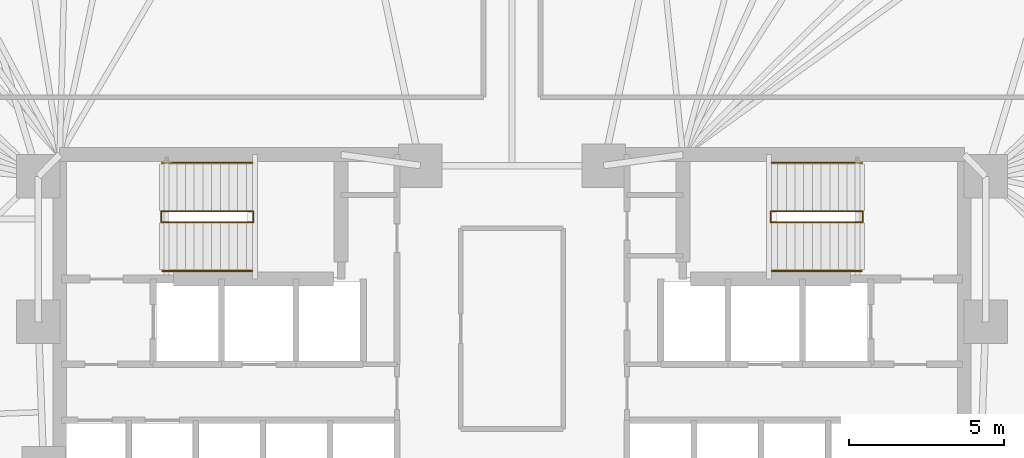
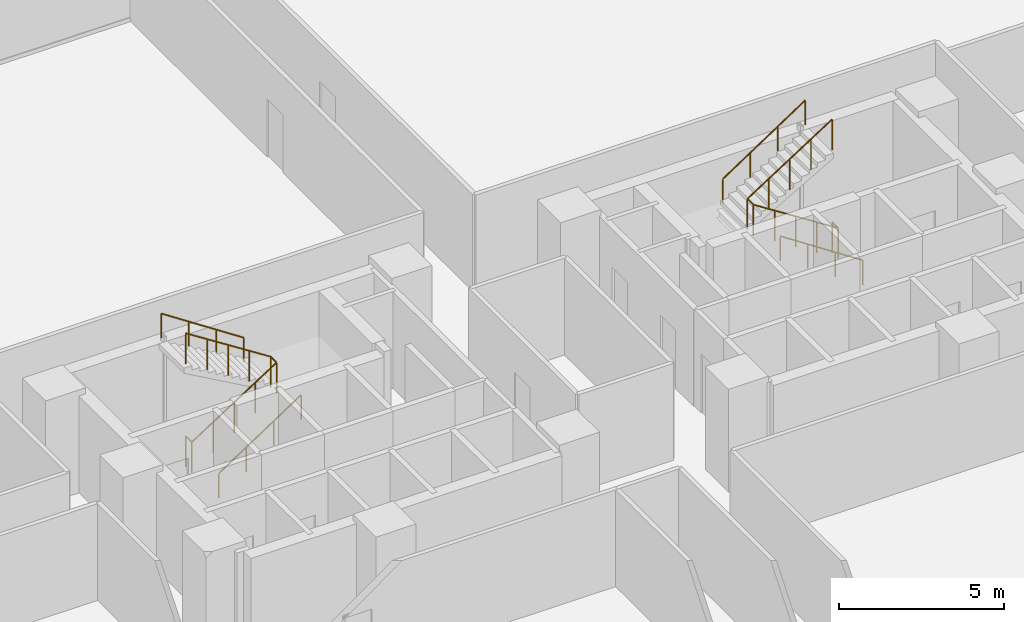
# One storey, part 16 of 16: 6 railings.
"""IFC4 building model written with IfcOpenShell, lengths in metres."""

import ifcopenshell
import ifcopenshell.guid

model = None  # the IFC model being written
_history = None  # IfcOwnerHistory: only IFC2X3 demands one
_inside = {}  # id of a spatial element -> (the spatial element, [elements in it])
_under = {}  # id of a project, library or spatial element -> (it, [spatial elements below it])
_declared = {}  # id of a project -> (the project, [libraries it declares])
_typed = {}  # id of a type object -> (the type object, [elements of that type])
_made_of = {}  # id of a material, layer set ... -> (it, [elements and type objects made of it])


def new_model(schema):
    """Start an empty IFC model of exactly this schema.

    Asked for "IFC4X3", IfcOpenShell would pick the latest addendum, in which some entities
    have other attributes; the version numbers below select the first issue.
    IFC2X3 requires an IfcOwnerHistory on every rooted entity: one is made here for all.
    """
    global model, _history
    if schema == "IFC4X3":
        model = ifcopenshell.file(schema_version=(4, 3, 0, 0))
    else:
        model = ifcopenshell.file(schema=schema)
    _inside.clear()
    _under.clear()
    _declared.clear()
    _typed.clear()
    _made_of.clear()
    _history = None
    if model.schema == "IFC2X3":
        org = make("IfcOrganization", Name="unknown")
        user = make(
            "IfcPersonAndOrganization",
            ThePerson=make("IfcPerson", FamilyName="unknown"),
            TheOrganization=org,
        )
        app = make(
            "IfcApplication",
            ApplicationDeveloper=org,
            Version="unknown",
            ApplicationFullName="unknown",
            ApplicationIdentifier="unknown",
        )
        _history = make(
            "IfcOwnerHistory",
            OwningUser=user,
            OwningApplication=app,
            ChangeAction="ADDED",
            CreationDate=0,
        )
    return model


def make(cls, **values):
    """One entity of the class cls with the attributes given. An attribute that is None is left unset."""
    return model.create_entity(
        cls, **{name: value for name, value in values.items() if value is not None}
    )


def rooted(cls, **values):
    """An entity with a GlobalId (a new one), such as an element, a storey or a relation."""
    return make(cls, GlobalId=ifcopenshell.guid.new(), OwnerHistory=_history, **values)


def si_unit(unit_type, name, prefix=None):
    """IfcSIUnit, for example si_unit("LENGTHUNIT", "METRE", prefix="MILLI")."""
    return make("IfcSIUnit", UnitType=unit_type, Prefix=prefix, Name=name)


def assignment(units):
    """IfcUnitAssignment: the units of a project."""
    return None if units is None else make("IfcUnitAssignment", Units=units)


def point(xyz):
    """IfcCartesianPoint."""
    return None if xyz is None else make("IfcCartesianPoint", Coordinates=xyz)


def direction(xyz):
    """IfcDirection."""
    return None if xyz is None else make("IfcDirection", DirectionRatios=xyz)


def frame(location, z_axis=None, x_axis=None):
    """IfcAxis2Placement3D, a coordinate frame: its origin and axes. An axis left out is left unset."""
    return make(
        "IfcAxis2Placement3D",
        Location=point(location),
        Axis=direction(z_axis),
        RefDirection=direction(x_axis),
    )


def frame_2d(location, x_axis=None):
    """IfcAxis2Placement2D, a coordinate frame in the plane: its origin and x axis."""
    return make(
        "IfcAxis2Placement2D", Location=point(location), RefDirection=direction(x_axis)
    )


def origin():
    """The frame at (0, 0, 0) with its axes left unset."""
    return frame((0.0, 0.0, 0.0))


def origin_2d():
    """The frame at (0, 0) in the plane with its x axis left unset."""
    return frame_2d((0.0, 0.0))


def place(relative_to, where):
    """IfcLocalPlacement: puts the frame where relative to a parent placement (None: the world)."""
    return make(
        "IfcLocalPlacement", PlacementRelTo=relative_to, RelativePlacement=where
    )


def context(
    kind, dimensions, precision=None, world=None, true_north=None, identifier=None
):
    """IfcGeometricRepresentationContext, for example the 3D "Model" context."""
    return make(
        "IfcGeometricRepresentationContext",
        ContextIdentifier=identifier,
        ContextType=kind,
        CoordinateSpaceDimension=dimensions,
        Precision=precision,
        WorldCoordinateSystem=world,
        TrueNorth=true_north,
    )


def subcontext(parent, identifier, kind, view, scale=None):
    """IfcGeometricRepresentationSubContext, for example "Body" below "Model"."""
    return make(
        "IfcGeometricRepresentationSubContext",
        ContextIdentifier=identifier,
        ContextType=kind,
        ParentContext=parent,
        TargetScale=scale,
        TargetView=view,
    )


def project(units=None, contexts=None):
    """IfcProject with its units and contexts."""
    return rooted(
        "IfcProject",
        Name="project",
        RepresentationContexts=contexts,
        UnitsInContext=assignment(units),
    )


def spatial(cls, under=None, at=None, **own):
    """A site, building, storey or space (cls), placed at a placement, below another one or the project."""
    s = rooted(cls, ObjectPlacement=at, **own)
    if under is not None:
        _under.setdefault(under.id(), (under, []))[1].append(s)
    return s


def profile(cls, at=None, kind="AREA", **sizes):
    """A parametric profile (cls). Its sizes go by their IFC names, for example OverallWidth=200.0."""
    return make(cls, ProfileType=kind, Position=at, **sizes)


def circle(**sizes):
    """IfcCircleProfileDef."""
    return profile("IfcCircleProfileDef", **sizes)


def extrude(swept, where, along, depth):
    """IfcExtrudedAreaSolid: the profile swept, set in the frame where, extruded along a direction by depth."""
    return make(
        "IfcExtrudedAreaSolid",
        SweptArea=swept,
        Position=where,
        ExtrudedDirection=direction(along),
        Depth=depth,
    )


def shape(context_of_items, identifier, shape_type, items):
    """IfcShapeRepresentation: the items that make up one representation, for example the "Body"."""
    return make(
        "IfcShapeRepresentation",
        ContextOfItems=context_of_items,
        RepresentationIdentifier=identifier,
        RepresentationType=shape_type,
        Items=items,
    )


def material(Name=None, Category=None):
    """IfcMaterial."""
    return make("IfcMaterial", Name=Name, Category=Category)


def made_of(thing, what):
    """Note that an element or type object is made of a material, layer set ...; save() writes the relation."""
    if what is not None:
        _made_of.setdefault(what.id(), (what, []))[1].append(thing)
    return thing


def type_object(cls, material=None, **own):
    """A type object (cls), such as IfcWallType, which elements share."""
    return made_of(rooted(cls, **own), material)


def element(
    cls,
    number,
    at=None,
    inside=None,
    cuts=None,
    type_object=None,
    material=None,
    context=None,
    identifier="Body",
    shape_type=None,
    held_by="IfcProductDefinitionShape",
    body=None,
    shapes=None,
    **own,
):
    """One element of the class cls, such as IfcWall. Its Tag is "e" and its number.

    at: its placement. inside: the storey or other place that contains it. cuts: it is an
    opening in that element (IfcRelVoidsElement). A single representation is given by context,
    identifier, shape_type and body (its items); several are given by shapes. held_by: the class
    of the entity that holds the representations. save() writes the other relations.
    """
    e = rooted(cls, Tag="e%d" % number, ObjectPlacement=at, **own)
    if body is not None:
        shapes = [shape(context, identifier, shape_type, body)]
    if shapes is not None:
        e.Representation = make(held_by, Representations=shapes)
    if inside is not None:
        _inside.setdefault(inside.id(), (inside, []))[1].append(e)
    if cuts is not None:
        rooted(
            "IfcRelVoidsElement", RelatingBuildingElement=cuts, RelatedOpeningElement=e
        )
    if type_object is not None:
        _typed.setdefault(type_object.id(), (type_object, []))[1].append(e)
    return made_of(e, material)


def aggregate(whole, parts):
    """IfcRelAggregates: a whole, such as a stair, and the parts it consists of."""
    return rooted("IfcRelAggregates", RelatingObject=whole, RelatedObjects=parts)


def save(model, path):
    """Write the relations noted so far, then the file.

    IfcRelAggregates (storeys below a building ...), IfcRelContainedInSpatialStructure (elements
    in a storey), IfcRelDefinesByType, IfcRelAssociatesMaterial and IfcRelDeclares: one each for
    every whole, place, type object, material and project.
    """
    for whole, parts in _under.values():
        aggregate(whole, parts)
    for where, things in _inside.values():
        rooted(
            "IfcRelContainedInSpatialStructure",
            RelatedElements=things,
            RelatingStructure=where,
        )
    for kind, things in _typed.values():
        rooted("IfcRelDefinesByType", RelatedObjects=things, RelatingType=kind)
    for what, things in _made_of.values():
        rooted("IfcRelAssociatesMaterial", RelatedObjects=things, RelatingMaterial=what)
    for by, libraries in _declared.values():
        rooted("IfcRelDeclares", RelatingContext=by, RelatedDefinitions=libraries)
    model.write(path)


model = new_model("IFC4")

# Units and contexts
model_context = context("Model", 3, precision=1e-05, world=origin(), true_north=direction((0.0, 1.0)))
body_context = subcontext(model_context, "Body", "Model", "MODEL_VIEW")
ifc_project = project(units=[si_unit("LENGTHUNIT", "METRE"), si_unit("AREAUNIT", "SQUARE_METRE"), si_unit("VOLUMEUNIT", "CUBIC_METRE"), si_unit("PLANEANGLEUNIT", "RADIAN"), si_unit("MASSUNIT", "GRAM", prefix="KILO")], contexts=[model_context])

# Site, building, storey
site_placement = place(None, origin())
site = spatial("IfcSite", under=ifc_project, at=site_placement, CompositionType="ELEMENT")
building_placement = place(site_placement, origin())
building = spatial("IfcBuilding", under=site, at=building_placement, Name="Menara Jurai Vektor", CompositionType="ELEMENT")
storey_placement = place(building_placement, frame((0.0, 0.0, 40.800048828125)))
storey = spatial("IfcBuildingStorey", under=building, at=storey_placement, Name="L09", CompositionType="ELEMENT", Elevation=40.800048828125)

# Railings
ifc_material_1 = material(Name="Painted Galvanised Steel Balustrade", Category="steel")
railing_type_1 = type_object("IfcRailingType", Name="RAIL-STAIR-GUARD", PredefinedType="GUARDRAIL", material=ifc_material_1)
railing_1_placement = place(storey_placement, frame((-11.2900390625, 3.780029296875, 0.0)))
element("IfcRailing", 1, at=railing_1_placement, inside=storey, type_object=railing_type_1, Name="ST1 Stair Guardrail 1 L09", PredefinedType="GUARDRAIL", context=body_context, shape_type="SweptSolid", body=[
    extrude(circle(Radius=0.02392578125, at=origin_2d()), frame((0.0, 0.0, 1.1259765625), z_axis=(0.0, -1.0, 0.0), x_axis=(1.0, 0.0, 0.0)), (0.0, 0.0, 1.0), 0.360107421875),
    extrude(circle(Radius=0.02392578125, at=origin_2d()), frame((0.0, -0.360107421875, 1.1259765625), z_axis=(0.841557155905, 0.0, 0.540168078791), x_axis=(0.0, 1.0, 0.0)), (0.0, 0.0, 1.0), 3.517333984375),
    extrude(circle(Radius=0.02392578125, at=origin_2d()), frame((2.9599609375, -0.360107421875, 3.02587890625), z_axis=(0.0, 1.0, 0.0), x_axis=(-1.0, 0.0, 0.0)), (0.0, 0.0, 1.0), 0.360107421875),
    extrude(circle(Radius=0.02392578125, at=origin_2d()), frame((2.9599609375, 0.0, 3.02587890625), z_axis=(-0.841525601958, 0.0, 0.540217235239), x_axis=(0.0, -1.0, 0.0)), (0.0, 0.0, 1.0), 3.517333984375),
    extrude(circle(Radius=0.02099609375, at=origin_2d()), origin(), (0.0, 0.0, 1.0), 1.101806640625),
    extrude(circle(Radius=0.02099609375, at=origin_2d()), frame((0.0, -0.360107421875, 0.0)), (0.0, 0.0, 1.0), 1.101806640625),
    extrude(circle(Radius=0.02099609375, at=origin_2d()), frame((0.739990234375, -0.360107421875, 0.47509765625)), (0.0, 0.0, 1.0), 1.101806640625),
    extrude(circle(Radius=0.02099609375, at=origin_2d()), frame((1.47998046875, -0.360107421875, 0.949951171875)), (0.0, 0.0, 1.0), 1.101806640625),
    extrude(circle(Radius=0.02099609375, at=origin_2d()), frame((2.219970703125, -0.360107421875, 1.4248046875)), (0.0, 0.0, 1.0), 1.101806640625),
    extrude(circle(Radius=0.02099609375, at=origin_2d()), frame((2.9599609375, -0.360107421875, 1.89990234375)), (0.0, 0.0, 1.0), 1.101806640625),
    extrude(circle(Radius=0.02099609375, at=origin_2d()), frame((2.9599609375, 0.0, 1.89990234375)), (0.0, 0.0, 1.0), 1.101806640625),
    extrude(circle(Radius=0.02099609375, at=origin_2d()), frame((2.219970703125, 0.0, 2.375)), (0.0, 0.0, 1.0), 1.101806640625),
    extrude(circle(Radius=0.02099609375, at=origin_2d()), frame((1.47998046875, 0.0, 2.85009765625)), (0.0, 0.0, 1.0), 1.101806640625),
    extrude(circle(Radius=0.02099609375, at=origin_2d()), frame((0.739990234375, 0.0, 3.324951171875)), (0.0, 0.0, 1.0), 1.101806640625),
    extrude(circle(Radius=0.02099609375, at=origin_2d()), frame((0.0, 0.0, 3.800048828125)), (0.0, 0.0, 1.0), 1.101806640625),
])
railing_2_placement = place(storey_placement, frame((11.2900390625, 3.780029296875, 0.0)))
element("IfcRailing", 2, at=railing_2_placement, inside=storey, type_object=railing_type_1, Name="ST2 Stair Guardrail 1 L09", PredefinedType="GUARDRAIL", context=body_context, shape_type="SweptSolid", body=[
    extrude(circle(Radius=0.02392578125, at=origin_2d()), frame((0.0, 0.0, 1.1259765625), z_axis=(0.0, -1.0, 0.0), x_axis=(1.0, 0.0, 0.0)), (0.0, 0.0, 1.0), 0.360107421875),
    extrude(circle(Radius=0.02392578125, at=origin_2d()), frame((0.0, -0.360107421875, 1.1259765625), z_axis=(-0.841557155905, 0.0, 0.540168078791), x_axis=(0.0, -1.0, 0.0)), (0.0, 0.0, 1.0), 3.517333984375),
    extrude(circle(Radius=0.02392578125, at=origin_2d()), frame((-2.9599609375, -0.360107421875, 3.02587890625), z_axis=(0.0, 1.0, 0.0), x_axis=(-1.0, 0.0, 0.0)), (0.0, 0.0, 1.0), 0.360107421875),
    extrude(circle(Radius=0.02392578125, at=origin_2d()), frame((-2.9599609375, 0.0, 3.02587890625), z_axis=(0.841525601958, 0.0, 0.540217235239), x_axis=(0.0, 1.0, 0.0)), (0.0, 0.0, 1.0), 3.517333984375),
    extrude(circle(Radius=0.02099609375, at=origin_2d()), origin(), (0.0, 0.0, 1.0), 1.101806640625),
    extrude(circle(Radius=0.02099609375, at=origin_2d()), frame((0.0, -0.360107421875, 0.0)), (0.0, 0.0, 1.0), 1.101806640625),
    extrude(circle(Radius=0.02099609375, at=origin_2d()), frame((-0.739990234375, -0.360107421875, 0.47509765625)), (0.0, 0.0, 1.0), 1.101806640625),
    extrude(circle(Radius=0.02099609375, at=origin_2d()), frame((-1.47998046875, -0.360107421875, 0.949951171875)), (0.0, 0.0, 1.0), 1.101806640625),
    extrude(circle(Radius=0.02099609375, at=origin_2d()), frame((-2.219970703125, -0.360107421875, 1.4248046875)), (0.0, 0.0, 1.0), 1.101806640625),
    extrude(circle(Radius=0.02099609375, at=origin_2d()), frame((-2.9599609375, -0.360107421875, 1.89990234375)), (0.0, 0.0, 1.0), 1.101806640625),
    extrude(circle(Radius=0.02099609375, at=origin_2d()), frame((-2.9599609375, 0.0, 1.89990234375)), (0.0, 0.0, 1.0), 1.101806640625),
    extrude(circle(Radius=0.02099609375, at=origin_2d()), frame((-2.219970703125, 0.0, 2.375)), (0.0, 0.0, 1.0), 1.101806640625),
    extrude(circle(Radius=0.02099609375, at=origin_2d()), frame((-1.47998046875, 0.0, 2.85009765625)), (0.0, 0.0, 1.0), 1.101806640625),
    extrude(circle(Radius=0.02099609375, at=origin_2d()), frame((-0.739990234375, 0.0, 3.324951171875)), (0.0, 0.0, 1.0), 1.101806640625),
    extrude(circle(Radius=0.02099609375, at=origin_2d()), frame((0.0, 0.0, 3.800048828125)), (0.0, 0.0, 1.0), 1.101806640625),
])
ifc_material_2 = material(Name="Brushed Stainless Steel Handrail", Category="steel")
railing_type_2 = type_object("IfcRailingType", Name="RAIL-STAIR-HAND", PredefinedType="HANDRAIL", material=ifc_material_2)
railing_3_placement = place(storey_placement, frame((-11.25, 1.860107421875, 0.0)))
element("IfcRailing", 3, at=railing_3_placement, inside=storey, type_object=railing_type_2, Name="ST1 Stair Handrail 1 L09", PredefinedType="HANDRAIL", context=body_context, shape_type="SweptSolid", body=[
    extrude(circle(Radius=0.02392578125, at=origin_2d()), frame((0.0, 0.0, 0.89599609375), z_axis=(0.834718698933, 0.0, 0.550676578085), x_axis=(0.0, 1.0, 0.0)), (0.0, 0.0, 1.0), 3.4501953125),
    extrude(circle(Radius=0.02099609375, at=origin_2d()), origin(), (0.0, 0.0, 1.0), 0.871826171875),
    extrude(circle(Radius=0.02099609375, at=origin_2d()), frame((0.9599609375, 0.0, 0.63330078125)), (0.0, 0.0, 1.0), 0.871826171875),
    extrude(circle(Radius=0.02099609375, at=origin_2d()), frame((1.919921875, 0.0, 1.2666015625)), (0.0, 0.0, 1.0), 0.871826171875),
    extrude(circle(Radius=0.02099609375, at=origin_2d()), frame((2.8798828125, 0.0, 1.89990234375)), (0.0, 0.0, 1.0), 0.871826171875),
])
railing_4_placement = place(storey_placement, frame((-8.3701171875, 5.340087890625, 1.89990234375)))
element("IfcRailing", 4, at=railing_4_placement, inside=storey, type_object=railing_type_2, Name="ST1 Stair Handrail 2 L09", PredefinedType="HANDRAIL", context=body_context, shape_type="SweptSolid", body=[
    extrude(circle(Radius=0.02392578125, at=origin_2d()), frame((0.0, 0.0, 0.89599609375), z_axis=(-0.834686171885, 0.0, 0.550725879602), x_axis=(0.0, -1.0, 0.0)), (0.0, 0.0, 1.0), 3.4501953125),
    extrude(circle(Radius=0.02099609375, at=origin_2d()), origin(), (0.0, 0.0, 1.0), 0.871826171875),
    extrude(circle(Radius=0.02099609375, at=origin_2d()), frame((-0.9599609375, 0.0, 0.63330078125)), (0.0, 0.0, 1.0), 0.871826171875),
    extrude(circle(Radius=0.02099609375, at=origin_2d()), frame((-1.919921875, 0.0, 1.266845703125)), (0.0, 0.0, 1.0), 0.871826171875),
    extrude(circle(Radius=0.02099609375, at=origin_2d()), frame((-2.8798828125, 0.0, 1.900146484375)), (0.0, 0.0, 1.0), 0.871826171875),
])
railing_5_placement = place(storey_placement, frame((11.25, 1.860107421875, 0.0)))
element("IfcRailing", 5, at=railing_5_placement, inside=storey, type_object=railing_type_2, Name="ST2 Stair Handrail 1 L09", PredefinedType="HANDRAIL", context=body_context, shape_type="SweptSolid", body=[
    extrude(circle(Radius=0.02392578125, at=origin_2d()), frame((0.0, 0.0, 0.89599609375), z_axis=(-0.834718698933, 0.0, 0.550676578085), x_axis=(0.0, -1.0, 0.0)), (0.0, 0.0, 1.0), 3.4501953125),
    extrude(circle(Radius=0.02099609375, at=origin_2d()), origin(), (0.0, 0.0, 1.0), 0.871826171875),
    extrude(circle(Radius=0.02099609375, at=origin_2d()), frame((-0.9599609375, 0.0, 0.63330078125)), (0.0, 0.0, 1.0), 0.871826171875),
    extrude(circle(Radius=0.02099609375, at=origin_2d()), frame((-1.919921875, 0.0, 1.2666015625)), (0.0, 0.0, 1.0), 0.871826171875),
    extrude(circle(Radius=0.02099609375, at=origin_2d()), frame((-2.8798828125, 0.0, 1.89990234375)), (0.0, 0.0, 1.0), 0.871826171875),
])
railing_6_placement = place(storey_placement, frame((8.3701171875, 5.340087890625, 1.89990234375)))
element("IfcRailing", 6, at=railing_6_placement, inside=storey, type_object=railing_type_2, Name="ST2 Stair Handrail 2 L09", PredefinedType="HANDRAIL", context=body_context, shape_type="SweptSolid", body=[
    extrude(circle(Radius=0.02392578125, at=origin_2d()), frame((0.0, 0.0, 0.89599609375), z_axis=(0.834686171885, 0.0, 0.550725879602), x_axis=(0.0, 1.0, 0.0)), (0.0, 0.0, 1.0), 3.4501953125),
    extrude(circle(Radius=0.02099609375, at=origin_2d()), origin(), (0.0, 0.0, 1.0), 0.871826171875),
    extrude(circle(Radius=0.02099609375, at=origin_2d()), frame((0.9599609375, 0.0, 0.63330078125)), (0.0, 0.0, 1.0), 0.871826171875),
    extrude(circle(Radius=0.02099609375, at=origin_2d()), frame((1.919921875, 0.0, 1.266845703125)), (0.0, 0.0, 1.0), 0.871826171875),
    extrude(circle(Radius=0.02099609375, at=origin_2d()), frame((2.8798828125, 0.0, 1.900146484375)), (0.0, 0.0, 1.0), 0.871826171875),
])

save(model, "model.ifc")
